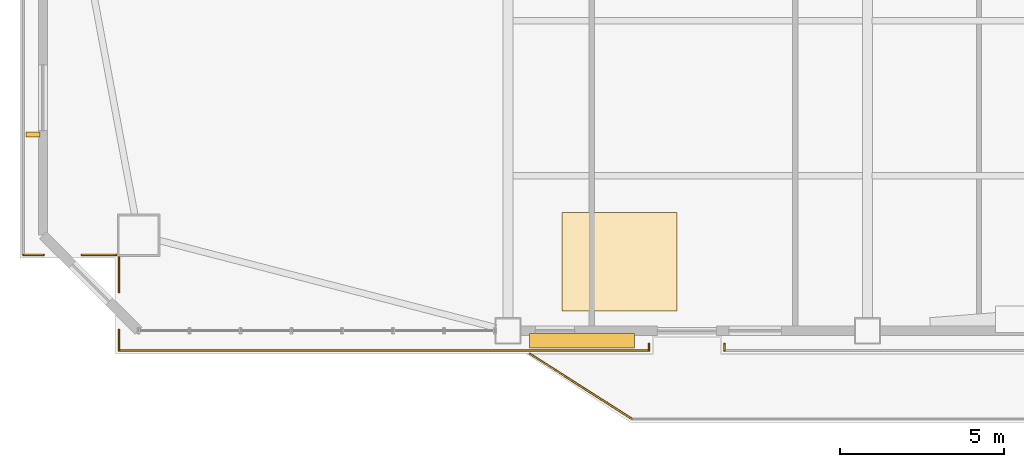
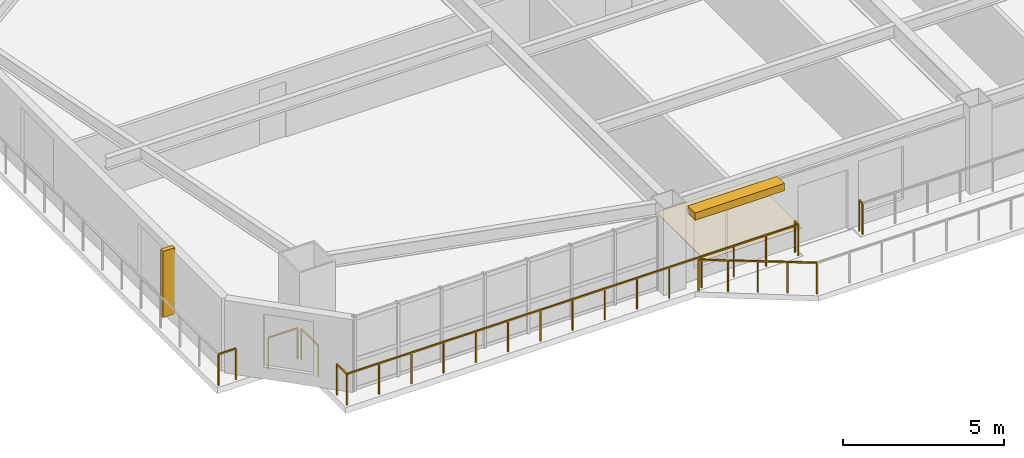
# One storey, part 12 of 16: 8 railings, 2 shading devices, 1 covering.
"""IFC4 building model written with IfcOpenShell, lengths in metres."""

from ifc_helpers import new_model, si_unit, direction, frame, origin, origin_2d, place, context, subcontext, project, spatial, polyline, rectangle, outline, extrude, source, transform, mapped, material, layer, layer_set, type_object, element, save


model = new_model("IFC4")

# Units and contexts
model_context = context("Model", 3, precision=1e-05, world=origin(), true_north=direction((0.0, 1.0)))
body_context = subcontext(model_context, "Body", "Model", "MODEL_VIEW")
ifc_project = project(units=[si_unit("LENGTHUNIT", "METRE"), si_unit("AREAUNIT", "SQUARE_METRE"), si_unit("VOLUMEUNIT", "CUBIC_METRE"), si_unit("PLANEANGLEUNIT", "RADIAN"), si_unit("MASSUNIT", "GRAM", prefix="KILO")], contexts=[model_context])

# Site, building, storey
site_placement = place(None, origin())
site = spatial("IfcSite", under=ifc_project, at=site_placement, CompositionType="ELEMENT")
building_placement = place(site_placement, origin())
building = spatial("IfcBuilding", under=site, at=building_placement, Name="Giltprow Tower", CompositionType="ELEMENT")
storey_placement = place(building_placement, frame((0.0, 0.0, 163.199951171875)))
storey = spatial("IfcBuildingStorey", under=building, at=storey_placement, Name="L40", CompositionType="ELEMENT", Elevation=163.199951171875)

# Covering
ifc_material_1 = material(Name="Engineered oak", Category="wood")
ifc_layer = layer(ifc_material_1, 0.02490234375, Name="Engineered oak")
ifc_layer_set = layer_set([ifc_layer], Name="Engineered oak")
covering_type = type_object("IfcCoveringType", Name="COV-FLR-TIMBER", PredefinedType="FLOORING", material=ifc_layer_set)
covering_placement = place(storey_placement, origin())
element("IfcCovering", 1, at=covering_placement, inside=storey, type_object=covering_type, Name="L40 Engineered Oak Guestroom Flooring", PredefinedType="FLOORING", context=body_context, shape_type="SweptSolid", body=[
    extrude(outline(polyline([(21.5, 9.697998046875), (25.0, 9.697998046875), (25.0, 12.697998046875), (21.5, 12.697998046875), (21.5, 9.697998046875)])), origin(), (0.0, 0.0, 1.0), 0.025146484375),
])

# Railings
ifc_material_2 = material(Name="Anodized bronze", Category="metal")
railing_type = type_object("IfcRailingType", Name="RAIL-BALC-GUARD-1200", PredefinedType="BALUSTRADE", material=ifc_material_2)
railing_1_placement = place(storey_placement, frame((20.52001953125, 8.39794921875, 0.0)))
element("IfcRailing", 2, at=railing_1_placement, inside=storey, type_object=railing_type, Name="L40 Waterfront Balcony Balustrade Seg 1", PredefinedType="BALUSTRADE", context=body_context, shape_type="SweptSolid", body=[
    extrude(rectangle(XDim=0.048095703125, YDim=0.048095703125, at=origin_2d()), frame((0.0, 0.0, 1.17578125), z_axis=(0.84277487735, -0.538266203757, 0.0), x_axis=(0.538266203757, 0.84277487735, 0.0)), (0.0, 0.0, 1.0), 3.678466796875),
    extrude(rectangle(XDim=0.0419921875, YDim=0.0419921875, at=origin_2d()), origin(), (0.0, 0.0, 1.0), 1.15185546875),
    extrude(rectangle(XDim=0.0419921875, YDim=0.0419921875, at=origin_2d()), frame((0.77490234375, -0.4951171875, 0.0)), (0.0, 0.0, 1.0), 1.15185546875),
    extrude(rectangle(XDim=0.0419921875, YDim=0.0419921875, at=origin_2d()), frame((1.550048828125, -0.989990234375, 0.0)), (0.0, 0.0, 1.0), 1.15185546875),
    extrude(rectangle(XDim=0.0419921875, YDim=0.0419921875, at=origin_2d()), frame((2.3251953125, -1.48486328125, 0.0)), (0.0, 0.0, 1.0), 1.15185546875),
    extrude(rectangle(XDim=0.0419921875, YDim=0.0419921875, at=origin_2d()), frame((3.10009765625, -1.97998046875, 0.0)), (0.0, 0.0, 1.0), 1.15185546875),
])
railing_2_placement = place(storey_placement, frame((7.9970703125, 8.498046875, 0.0)))
element("IfcRailing", 3, at=railing_2_placement, inside=storey, type_object=railing_type, Name="L40 Corner Apron Edge Balustrade 1", PredefinedType="BALUSTRADE", context=body_context, shape_type="SweptSolid", body=[
    extrude(rectangle(XDim=0.048095703125, YDim=0.048095703125, at=origin_2d()), frame((0.0, 0.0, 1.17578125), z_axis=(0.0, 1.0, 0.0), x_axis=(-1.0, 0.0, 0.0)), (0.0, 0.0, 1.0), 0.619873046875),
    extrude(rectangle(XDim=0.0419921875, YDim=0.0419921875, at=origin_2d()), origin(), (0.0, 0.0, 1.0), 1.15185546875),
    extrude(rectangle(XDim=0.0419921875, YDim=0.0419921875, at=origin_2d()), frame((0.0, 0.619873046875, 0.0)), (0.0, 0.0, 1.0), 1.15185546875),
])
railing_3_placement = place(storey_placement, frame((7.9970703125, 10.278076171875, 0.0)))
element("IfcRailing", 4, at=railing_3_placement, inside=storey, type_object=railing_type, Name="L40 Corner Apron Edge Balustrade 2", PredefinedType="BALUSTRADE", context=body_context, shape_type="SweptSolid", body=[
    extrude(rectangle(XDim=0.048095703125, YDim=0.048095703125, at=origin_2d()), frame((0.0, 0.0, 1.17578125), z_axis=(0.0, 1.0, 0.0), x_axis=(-1.0, 0.0, 0.0)), (0.0, 0.0, 1.0), 1.0478515625),
    extrude(rectangle(XDim=0.0419921875, YDim=0.0419921875, at=origin_2d()), origin(), (0.0, 0.0, 1.0), 1.15185546875),
    extrude(rectangle(XDim=0.0419921875, YDim=0.0419921875, at=origin_2d()), frame((0.0, 1.0478515625, 0.0)), (0.0, 0.0, 1.0), 1.15185546875),
])
railing_4_placement = place(storey_placement, frame((7.912109375, 11.410888671875, 0.0)))
element("IfcRailing", 5, at=railing_4_placement, inside=storey, type_object=railing_type, Name="L40 Corner Apron Edge Balustrade 3", PredefinedType="BALUSTRADE", context=body_context, shape_type="SweptSolid", body=[
    extrude(rectangle(XDim=0.048095703125, YDim=0.048095703125, at=origin_2d()), frame((0.0, 0.0, 1.17578125), z_axis=(-1.0, 0.0, 0.0), x_axis=(0.0, -1.0, 0.0)), (0.0, 0.0, 1.0), 1.048095703125),
    extrude(rectangle(XDim=0.0419921875, YDim=0.0419921875, at=origin_2d()), origin(), (0.0, 0.0, 1.0), 1.15185546875),
    extrude(rectangle(XDim=0.0419921875, YDim=0.0419921875, at=origin_2d()), frame((-1.048095703125, 0.0, 0.0)), (0.0, 0.0, 1.0), 1.15185546875),
])
railing_5_placement = place(storey_placement, frame((5.7041015625, 11.410888671875, 0.0)))
element("IfcRailing", 6, at=railing_5_placement, inside=storey, type_object=railing_type, Name="L40 Corner Apron Edge Balustrade 4", PredefinedType="BALUSTRADE", context=body_context, shape_type="SweptSolid", body=[
    extrude(rectangle(XDim=0.048095703125, YDim=0.048095703125, at=origin_2d()), frame((0.0, 0.0, 1.17578125), z_axis=(-1.0, 0.0, 0.0), x_axis=(0.0, -1.0, 0.0)), (0.0, 0.0, 1.0), 0.6201171875),
    extrude(rectangle(XDim=0.0419921875, YDim=0.0419921875, at=origin_2d()), origin(), (0.0, 0.0, 1.0), 1.15185546875),
    extrude(rectangle(XDim=0.0419921875, YDim=0.0419921875, at=origin_2d()), frame((-0.6201171875, 0.0, 0.0)), (0.0, 0.0, 1.0), 1.15185546875),
])
railing_6_placement = place(storey_placement, frame((26.449951171875, 8.498046875, 0.0)))
element("IfcRailing", 7, at=railing_6_placement, inside=storey, type_object=railing_type, Name="L40 Corner Apron Edge Balustrade 23", PredefinedType="BALUSTRADE", context=body_context, shape_type="SweptSolid", body=[
    extrude(rectangle(XDim=0.048095703125, YDim=0.048095703125, at=origin_2d()), frame((0.0, 0.0, 1.17578125), z_axis=(0.0, 1.0, 0.0), x_axis=(-1.0, 0.0, 0.0)), (0.0, 0.0, 1.0), 0.199951171875),
    extrude(rectangle(XDim=0.0419921875, YDim=0.0419921875, at=origin_2d()), origin(), (0.0, 0.0, 1.0), 1.15185546875),
    extrude(rectangle(XDim=0.0419921875, YDim=0.0419921875, at=origin_2d()), frame((0.0, 0.199951171875, 0.0)), (0.0, 0.0, 1.0), 1.15185546875),
])
railing_7_placement = place(storey_placement, frame((24.14990234375, 8.697998046875, 0.0)))
element("IfcRailing", 8, at=railing_7_placement, inside=storey, type_object=railing_type, Name="L40 Corner Apron Edge Balustrade 24", PredefinedType="BALUSTRADE", context=body_context, shape_type="SweptSolid", body=[
    extrude(rectangle(XDim=0.048095703125, YDim=0.048095703125, at=origin_2d()), frame((0.0, 0.0, 1.17578125), z_axis=(0.0, -1.0, 0.0), x_axis=(1.0, 0.0, 0.0)), (0.0, 0.0, 1.0), 0.199951171875),
    extrude(rectangle(XDim=0.0419921875, YDim=0.0419921875, at=origin_2d()), origin(), (0.0, 0.0, 1.0), 1.15185546875),
    extrude(rectangle(XDim=0.0419921875, YDim=0.0419921875, at=origin_2d()), frame((0.0, -0.199951171875, 0.0)), (0.0, 0.0, 1.0), 1.15185546875),
])
railing_8_placement = place(storey_placement, frame((24.14990234375, 8.498046875, 0.0)))
element("IfcRailing", 9, at=railing_8_placement, inside=storey, type_object=railing_type, Name="L40 Corner Apron Edge Balustrade 25", PredefinedType="BALUSTRADE", context=body_context, shape_type="SweptSolid", body=[
    extrude(rectangle(XDim=0.048095703125, YDim=0.048095703125, at=origin_2d()), frame((0.0, 0.0, 1.17578125), z_axis=(-1.0, 0.0, 0.0), x_axis=(0.0, -1.0, 0.0)), (0.0, 0.0, 1.0), 16.15283203125),
    extrude(rectangle(XDim=0.0419921875, YDim=0.0419921875, at=origin_2d()), origin(), (0.0, 0.0, 1.0), 1.15185546875),
    extrude(rectangle(XDim=0.0419921875, YDim=0.0419921875, at=origin_2d()), frame((-1.15380859375, 0.0, 0.0)), (0.0, 0.0, 1.0), 1.15185546875),
    extrude(rectangle(XDim=0.0419921875, YDim=0.0419921875, at=origin_2d()), frame((-2.3076171875, 0.0, 0.0)), (0.0, 0.0, 1.0), 1.15185546875),
    extrude(rectangle(XDim=0.0419921875, YDim=0.0419921875, at=origin_2d()), frame((-3.46142578125, 0.0, 0.0)), (0.0, 0.0, 1.0), 1.15185546875),
    extrude(rectangle(XDim=0.0419921875, YDim=0.0419921875, at=origin_2d()), frame((-4.614990234375, 0.0, 0.0)), (0.0, 0.0, 1.0), 1.15185546875),
    extrude(rectangle(XDim=0.0419921875, YDim=0.0419921875, at=origin_2d()), frame((-5.768798828125, 0.0, 0.0)), (0.0, 0.0, 1.0), 1.15185546875),
    extrude(rectangle(XDim=0.0419921875, YDim=0.0419921875, at=origin_2d()), frame((-6.922607421875, 0.0, 0.0)), (0.0, 0.0, 1.0), 1.15185546875),
    extrude(rectangle(XDim=0.0419921875, YDim=0.0419921875, at=origin_2d()), frame((-8.076416015625, 0.0, 0.0)), (0.0, 0.0, 1.0), 1.15185546875),
    extrude(rectangle(XDim=0.0419921875, YDim=0.0419921875, at=origin_2d()), frame((-9.230224609375, 0.0, 0.0)), (0.0, 0.0, 1.0), 1.15185546875),
    extrude(rectangle(XDim=0.0419921875, YDim=0.0419921875, at=origin_2d()), frame((-10.384033203125, 0.0, 0.0)), (0.0, 0.0, 1.0), 1.15185546875),
    extrude(rectangle(XDim=0.0419921875, YDim=0.0419921875, at=origin_2d()), frame((-11.537841796875, 0.0, 0.0)), (0.0, 0.0, 1.0), 1.15185546875),
    extrude(rectangle(XDim=0.0419921875, YDim=0.0419921875, at=origin_2d()), frame((-12.69140625, 0.0, 0.0)), (0.0, 0.0, 1.0), 1.15185546875),
    extrude(rectangle(XDim=0.0419921875, YDim=0.0419921875, at=origin_2d()), frame((-13.84521484375, 0.0, 0.0)), (0.0, 0.0, 1.0), 1.15185546875),
    extrude(rectangle(XDim=0.0419921875, YDim=0.0419921875, at=origin_2d()), frame((-14.9990234375, 0.0, 0.0)), (0.0, 0.0, 1.0), 1.15185546875),
    extrude(rectangle(XDim=0.0419921875, YDim=0.0419921875, at=origin_2d()), frame((-16.15283203125, 0.0, 0.0)), (0.0, 0.0, 1.0), 1.15185546875),
])

# Shading devices
shading_device_type_1 = type_object("IfcShadingDeviceType", Name="SHD-FIN-420", PredefinedType="USERDEFINED", material=ifc_material_2)
shared_shape_1 = source(origin(), body_context, "Body", "SweptSolid", [
    extrude(rectangle(XDim=0.419921875, YDim=0.159912109375, at=origin_2d()), origin(), (0.0, 0.0, 1.0), 2.5),
])
shading_device_1_placement = place(storey_placement, frame((5.384033203125, 15.080078125, 0.35009765625), z_axis=(0.0, 0.0, 1.0), x_axis=(1.0, 0.0, 0.0)))
element("IfcShadingDevice", 10, at=shading_device_1_placement, inside=storey, type_object=shading_device_type_1, Name="L40 W Bronze Vertical Fin 1-1", ObjectType="FIN", PredefinedType="USERDEFINED", context=body_context, shape_type="MappedRepresentation", body=[
    mapped(shared_shape_1, transform((0.0, 0.0, 0.0), x_axis=(1.0, 0.0, 0.0), y_axis=(0.0, 1.0, 0.0), z_axis=(0.0, 0.0, 1.0), scale=1.0)),
])
shading_device_type_2 = type_object("IfcShadingDeviceType", Name="SHD-LOUVRE-320", PredefinedType="JALOUSIE", material=ifc_material_2)
shared_shape_2 = source(origin(), body_context, "Body", "SweptSolid", [
    extrude(rectangle(XDim=3.199951171875, YDim=0.449951171875, at=origin_2d()), origin(), (0.0, 0.0, 1.0), 0.280029296875),
])
shading_device_2_placement = place(storey_placement, frame((22.10009765625, 8.798095703125, 2.56005859375), z_axis=(0.0, 0.0, 1.0), x_axis=(1.0, 0.0, 0.0)))
element("IfcShadingDevice", 11, at=shading_device_2_placement, inside=storey, type_object=shading_device_type_2, Name="L40 Bronze Sunshade Louvre S-2", PredefinedType="JALOUSIE", context=body_context, shape_type="MappedRepresentation", body=[
    mapped(shared_shape_2, transform((0.0, 0.0, 0.0), x_axis=(1.0, 0.0, 0.0), y_axis=(0.0, 1.0, 0.0), z_axis=(0.0, 0.0, 1.0), scale=1.0)),
])

save(model, "model.ifc")
